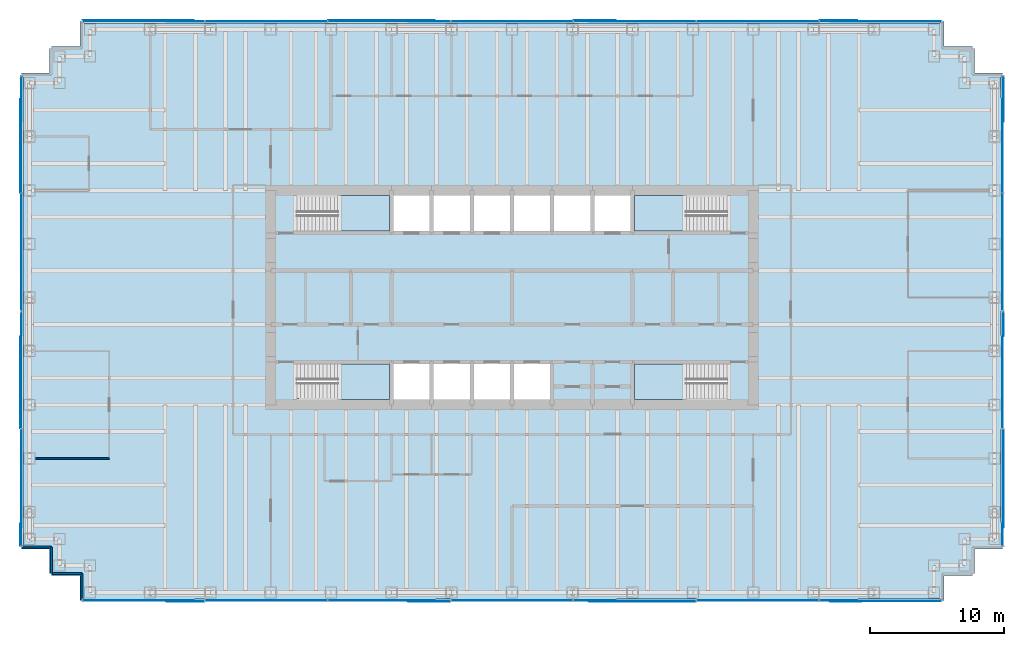
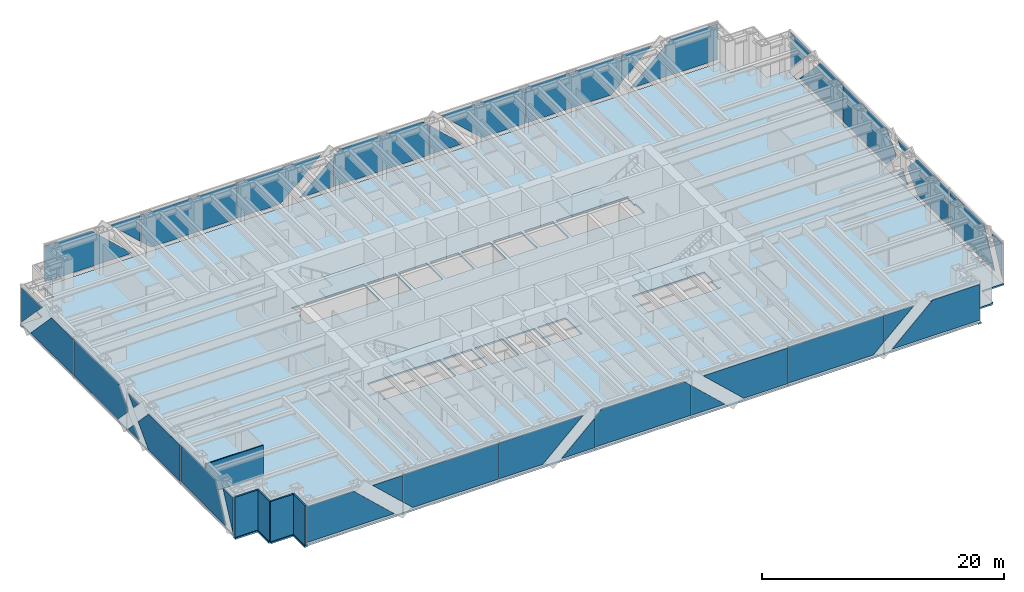
# One storey, part 10 of 15: 38 plates, 5 slabs, 5 walls, 8 elements without a shape of their own.
"""IFC4 building model written with IfcOpenShell, lengths in metres."""

from ifc_helpers import new_model, si_unit, direction, frame, frame_2d, origin, place, context, subcontext, project, spatial, polyline, rectangle, outline, extrude, material, layer, layer_set, type_object, element, aggregate, save


model = new_model("IFC4")

# Units and contexts
model_context = context("Model", 3, precision=1e-05, world=origin(), true_north=direction((0.0, 1.0)))
body_context = subcontext(model_context, "Body", "Model", "MODEL_VIEW")
ifc_project = project(units=[si_unit("LENGTHUNIT", "METRE"), si_unit("AREAUNIT", "SQUARE_METRE"), si_unit("VOLUMEUNIT", "CUBIC_METRE"), si_unit("PLANEANGLEUNIT", "RADIAN"), si_unit("MASSUNIT", "GRAM", prefix="KILO")], contexts=[model_context])

# Site, building, storey
site_placement = place(None, origin())
site = spatial("IfcSite", under=ifc_project, at=site_placement, CompositionType="ELEMENT")
building_placement = place(site_placement, origin())
building = spatial("IfcBuilding", under=site, at=building_placement, Name="Rheinbord Bourse Tower", CompositionType="ELEMENT")
storey_placement = place(building_placement, frame((0.0, 0.0, 236.199951171875)))
storey = spatial("IfcBuildingStorey", under=building, at=storey_placement, Name="L53", CompositionType="ELEMENT", Elevation=236.199951171875)

# Slab
ifc_material_1 = material(Name="Concrete C30/37", Category="concrete")
ifc_layer_1 = layer(ifc_material_1, 0.159912109375)
ifc_layer_set_1 = layer_set([ifc_layer_1], Name="COMPOSITE FLOOR SLAB 160")
slab_type_1 = type_object("IfcSlabType", Name="COMPOSITE FLOOR SLAB 160", PredefinedType="FLOOR", material=ifc_layer_set_1)
slab_1_placement = place(storey_placement, frame((0.0, 0.0, -0.159912109375)))
element("IfcSlab", 1, at=slab_1_placement, inside=storey, type_object=slab_type_1, Name="Floor slab L53", PredefinedType="FLOOR", context=body_context, shape_type="SweptSolid", body=[
    extrude(outline(polyline([(1.64990234375, 3.39990234375), (1.5, 3.39990234375), (1.5, 5.25), (-0.60009765625, 5.25), (-0.60009765625, 5.550048828125), (-0.5, 5.550048828125), (-0.5, 40.449951171875), (-0.60009765625, 40.449951171875), (-0.60009765625, 40.75), (1.5, 40.75), (1.5, 42.60009765625), (1.64990234375, 42.60009765625), (1.64990234375, 42.75), (3.75, 42.75), (3.75, 44.60009765625), (4.050048828125, 44.60009765625), (4.050048828125, 44.5), (67.949951171875, 44.5), (67.949951171875, 44.60009765625), (68.25, 44.60009765625), (68.25, 42.75), (70.35009765625, 42.75), (70.35009765625, 42.60009765625), (70.5, 42.60009765625), (70.5, 40.75), (72.60009765625, 40.75), (72.60009765625, 40.449951171875), (72.5, 40.449951171875), (72.5, 5.550048828125), (72.60009765625, 5.550048828125), (72.60009765625, 5.25), (70.5, 5.25), (70.5, 3.39990234375), (70.35009765625, 3.39990234375), (70.35009765625, 3.25), (68.25, 3.25), (68.25, 1.39990234375), (67.949951171875, 1.39990234375), (67.949951171875, 1.5), (4.050048828125, 1.5), (4.050048828125, 1.39990234375), (3.75, 1.39990234375), (3.75, 3.25), (1.64990234375, 3.25), (1.64990234375, 3.39990234375)]), holes=[polyline([(19.949951171875, 19.050048828125), (26.85009765625, 19.050048828125), (26.85009765625, 16.39990234375), (19.949951171875, 16.39990234375), (19.949951171875, 16.449951171875), (20.10009765625, 16.449951171875), (20.10009765625, 17.64990234375), (19.949951171875, 17.64990234375), (19.949951171875, 19.050048828125)]), polyline([(19.949951171875, 31.60009765625), (26.85009765625, 31.60009765625), (26.85009765625, 28.949951171875), (19.949951171875, 28.949951171875), (19.949951171875, 30.35009765625), (20.10009765625, 30.35009765625), (20.10009765625, 31.550048828125), (19.949951171875, 31.550048828125), (19.949951171875, 31.60009765625)]), polyline([(52.050048828125, 16.39990234375), (45.14990234375, 16.39990234375), (45.14990234375, 19.050048828125), (52.050048828125, 19.050048828125), (52.050048828125, 17.64990234375), (51.89990234375, 17.64990234375), (51.89990234375, 16.449951171875), (52.050048828125, 16.449951171875), (52.050048828125, 16.39990234375)]), polyline([(52.050048828125, 28.949951171875), (45.14990234375, 28.949951171875), (45.14990234375, 31.60009765625), (52.050048828125, 31.60009765625), (52.050048828125, 31.550048828125), (51.89990234375, 31.550048828125), (51.89990234375, 30.35009765625), (52.050048828125, 30.35009765625), (52.050048828125, 28.949951171875)]), polyline([(27.14990234375, 16.39990234375), (27.14990234375, 19.050048828125), (29.85009765625, 19.050048828125), (29.85009765625, 16.39990234375), (27.14990234375, 16.39990234375)]), polyline([(27.14990234375, 28.949951171875), (27.14990234375, 31.60009765625), (29.85009765625, 31.60009765625), (29.85009765625, 28.949951171875), (27.14990234375, 28.949951171875)]), polyline([(30.14990234375, 16.39990234375), (30.14990234375, 19.050048828125), (32.85009765625, 19.050048828125), (32.85009765625, 16.39990234375), (30.14990234375, 16.39990234375)]), polyline([(30.14990234375, 28.949951171875), (30.14990234375, 31.60009765625), (32.85009765625, 31.60009765625), (32.85009765625, 28.949951171875), (30.14990234375, 28.949951171875)]), polyline([(33.14990234375, 16.39990234375), (33.14990234375, 19.050048828125), (35.85009765625, 19.050048828125), (35.85009765625, 16.39990234375), (33.14990234375, 16.39990234375)]), polyline([(33.14990234375, 28.949951171875), (33.14990234375, 31.60009765625), (35.85009765625, 31.60009765625), (35.85009765625, 28.949951171875), (33.14990234375, 28.949951171875)]), polyline([(36.14990234375, 16.39990234375), (36.14990234375, 19.050048828125), (38.85009765625, 19.050048828125), (38.85009765625, 16.39990234375), (36.14990234375, 16.39990234375)]), polyline([(36.14990234375, 28.949951171875), (36.14990234375, 31.60009765625), (38.85009765625, 31.60009765625), (38.85009765625, 28.949951171875), (36.14990234375, 28.949951171875)]), polyline([(39.14990234375, 28.949951171875), (39.14990234375, 31.60009765625), (41.85009765625, 31.60009765625), (41.85009765625, 28.949951171875), (39.14990234375, 28.949951171875)]), polyline([(42.14990234375, 28.949951171875), (42.14990234375, 31.60009765625), (44.85009765625, 31.60009765625), (44.85009765625, 28.949951171875), (42.14990234375, 28.949951171875)])]), origin(), (0.0, 0.0, 1.0), 0.159912109375),
])

# Curtain wall, plates
ifc_material_2 = material(Name="Dark glass and black aluminium", Category="aluminium")
curtain_wall_type = type_object("IfcCurtainWallType", Name="CW2 DARK GLASS CURTAIN WALL", PredefinedType="USERDEFINED", material=ifc_material_2)
curtain_wall_1_placement = place(storey_placement, origin())
curtain_wall_1 = element("IfcCurtainWall", 2, at=curtain_wall_1_placement, inside=storey, type_object=curtain_wall_type, Name="Curtain wall CW2 S L53", ObjectType="UNITISED CURTAIN WALL", PredefinedType="USERDEFINED")
ifc_material_3 = material(Name="Dark tinted triple insulating glass", Category="glass")
ifc_layer_2 = layer(ifc_material_3, 0.050048828125)
ifc_layer_set_2 = layer_set([ifc_layer_2], Name="CW2 DARK GLASS PANEL")
plate_type = type_object("IfcPlateType", Name="CW2 DARK GLASS PANEL", PredefinedType="CURTAIN_PANEL", material=ifc_layer_set_2)
plate_1_placement = place(storey_placement, frame((3.969970703125, 1.375, 0.300048828125), z_axis=(0.0, 1.0, 0.0), x_axis=(0.0, 0.0, 1.0)))
plate_1 = element("IfcPlate", 3, at=plate_1_placement, type_object=plate_type, Name="CW2 glass facet 1", PredefinedType="CURTAIN_PANEL", context=body_context, shape_type="SweptSolid", body=[
    extrude(outline(polyline([(0.0, 0.0), (3.60009765625, 0.0), (3.60009765625, 4.465087890625), (0.0, 8.322021484375), (0.0, 0.0)])), origin(), (0.0, 0.0, 1.0), 0.050048828125),
])
plate_2_placement = place(storey_placement, frame((13.035888671875, 1.31982421875, 3.900146484375), z_axis=(0.0, 1.0, 0.0), x_axis=(0.0, 0.0, -1.0)))
plate_2 = element("IfcPlate", 4, at=plate_2_placement, type_object=plate_type, Name="CW2 glass facet 2", PredefinedType="CURTAIN_PANEL", context=body_context, shape_type="SweptSolid", body=[
    extrude(outline(polyline([(0.0, 0.0), (2.64013671875, 0.0), (0.0, 2.827880859375), (0.0, 0.0)])), origin(), (0.0, 0.0, 1.0), 0.050048828125),
])
plate_3_placement = place(storey_placement, frame((13.10595703125, 1.375, 3.900146484375), z_axis=(0.0, 1.0, 0.0), x_axis=(1.0, 0.0, 0.0)))
plate_3 = element("IfcPlate", 5, at=plate_3_placement, type_object=plate_type, Name="CW2 glass facet 1", PredefinedType="CURTAIN_PANEL", context=body_context, shape_type="SweptSolid", body=[
    extrude(outline(polyline([(0.0, 0.0), (9.10205078125, 0.0), (9.10205078125, 3.60009765625), (0.958984375, 3.60009765625), (0.0, 2.705078125), (0.0, 0.0)])), origin(), (0.0, 0.0, 1.0), 0.050048828125),
])
plate_4_placement = place(storey_placement, frame((22.278076171875, 1.375, 0.300048828125), z_axis=(0.0, 1.0, 0.0), x_axis=(0.0, 0.0, 1.0)))
plate_4 = element("IfcPlate", 6, at=plate_4_placement, type_object=plate_type, Name="CW2 glass facet 1", PredefinedType="CURTAIN_PANEL", context=body_context, shape_type="SweptSolid", body=[
    extrude(outline(polyline([(0.0, 0.0), (3.60009765625, 0.0), (3.60009765625, 8.013916015625), (0.0, 4.156982421875), (0.0, 0.0)])), origin(), (0.0, 0.0, 1.0), 0.050048828125),
])
plate_5_placement = place(storey_placement, frame((31.37890625, 1.31982421875, 0.300048828125), z_axis=(0.0, 1.0, 0.0), x_axis=(-1.0, 0.0, 0.0)))
plate_5 = element("IfcPlate", 7, at=plate_5_placement, type_object=plate_type, Name="CW2 glass facet 2", PredefinedType="CURTAIN_PANEL", context=body_context, shape_type="SweptSolid", body=[
    extrude(outline(polyline([(0.0, 0.0), (3.1708984375, 0.0), (0.0, 2.9599609375), (0.0, 0.0)])), origin(), (0.0, 0.0, 1.0), 0.050048828125),
])
plate_6_placement = place(storey_placement, frame((40.551025390625, 1.375, 0.300048828125), z_axis=(0.0, 1.0, 0.0), x_axis=(-1.0, 0.0, 0.0)))
plate_6 = element("IfcPlate", 8, at=plate_6_placement, type_object=plate_type, Name="CW2 glass facet 1", PredefinedType="CURTAIN_PANEL", context=body_context, shape_type="SweptSolid", body=[
    extrude(outline(polyline([(0.0, 0.0), (9.10205078125, 0.0), (9.10205078125, 3.02490234375), (8.486083984375, 3.60009765625), (0.615966796875, 3.60009765625), (0.0, 3.02490234375), (0.0, 0.0)])), origin(), (0.0, 0.0, 1.0), 0.050048828125),
])
plate_7_placement = place(storey_placement, frame((40.62109375, 1.375, 0.300048828125), z_axis=(0.0, 1.0, 0.0), x_axis=(0.0, 0.0, 1.0)))
plate_7 = element("IfcPlate", 9, at=plate_7_placement, type_object=plate_type, Name="CW2 glass facet 1", PredefinedType="CURTAIN_PANEL", context=body_context, shape_type="SweptSolid", body=[
    extrude(outline(polyline([(0.0, 0.0), (2.9599609375, 0.0), (0.0, 3.1708984375), (0.0, 0.0)])), origin(), (0.0, 0.0, 1.0), 0.050048828125),
])
plate_8_placement = place(storey_placement, frame((49.721923828125, 1.31982421875, 3.900146484375), z_axis=(0.0, 1.0, 0.0), x_axis=(0.0, 0.0, -1.0)))
plate_8 = element("IfcPlate", 10, at=plate_8_placement, type_object=plate_type, Name="CW2 glass facet 2", PredefinedType="CURTAIN_PANEL", context=body_context, shape_type="SweptSolid", body=[
    extrude(outline(polyline([(0.0, 0.0), (3.60009765625, 0.0), (3.60009765625, 4.156982421875), (0.0, 8.013916015625), (0.0, 0.0)])), origin(), (0.0, 0.0, 1.0), 0.050048828125),
])
plate_9_placement = place(storey_placement, frame((49.7919921875, 1.375, 0.300048828125), z_axis=(0.0, 1.0, 0.0), x_axis=(0.0, 0.0, 1.0)))
plate_9 = element("IfcPlate", 11, at=plate_9_placement, type_object=plate_type, Name="CW2 glass facet 1", PredefinedType="CURTAIN_PANEL", context=body_context, shape_type="SweptSolid", body=[
    extrude(outline(polyline([(0.0, 0.0), (3.60009765625, 0.0), (3.60009765625, 9.10205078125), (0.89501953125, 9.10205078125), (0.0, 8.14306640625), (0.0, 0.0)])), origin(), (0.0, 0.0, 1.0), 0.050048828125),
])
plate_10_placement = place(storey_placement, frame((58.964111328125, 1.375, 3.900146484375), z_axis=(0.0, 1.0, 0.0), x_axis=(1.0, 0.0, 0.0)))
plate_10 = element("IfcPlate", 12, at=plate_10_placement, type_object=plate_type, Name="CW2 glass facet 1", PredefinedType="CURTAIN_PANEL", context=body_context, shape_type="SweptSolid", body=[
    extrude(outline(polyline([(0.0, 0.0), (2.827880859375, 0.0), (0.0, 2.64013671875), (0.0, 0.0)])), origin(), (0.0, 0.0, 1.0), 0.050048828125),
])
plate_11_placement = place(storey_placement, frame((68.030029296875, 1.31982421875, 3.900146484375), z_axis=(0.0, 1.0, 0.0), x_axis=(0.0, 0.0, -1.0)))
plate_11 = element("IfcPlate", 13, at=plate_11_placement, type_object=plate_type, Name="CW2 glass facet 2", PredefinedType="CURTAIN_PANEL", context=body_context, shape_type="SweptSolid", body=[
    extrude(outline(polyline([(0.0, 0.0), (3.60009765625, 0.0), (3.60009765625, 8.322021484375), (0.0, 4.465087890625), (0.0, 0.0)])), origin(), (0.0, 0.0, 1.0), 0.050048828125),
])
aggregate(curtain_wall_1, [plate_1, plate_2, plate_3, plate_4, plate_5, plate_6, plate_7, plate_8, plate_9, plate_10, plate_11])

curtain_wall_2_placement = place(storey_placement, origin())
curtain_wall_2 = element("IfcCurtainWall", 14, at=curtain_wall_2_placement, inside=storey, type_object=curtain_wall_type, Name="Curtain wall CW2 E L53", ObjectType="UNITISED CURTAIN WALL", PredefinedType="USERDEFINED")
plate_12_placement = place(storey_placement, frame((72.625, 5.469970703125, 0.300048828125), z_axis=(-1.0, 0.0, 0.0), x_axis=(0.0, 0.0, 1.0)))
plate_12 = element("IfcPlate", 15, at=plate_12_placement, type_object=plate_type, Name="CW2 glass facet 1", PredefinedType="CURTAIN_PANEL", context=body_context, shape_type="SweptSolid", body=[
    extrude(outline(polyline([(0.0, 0.0), (3.60009765625, 0.0), (3.60009765625, 1.717041015625), (0.0, 0.0029296875), (0.0, 0.0)])), origin(), (0.0, 0.0, 1.0), 0.050048828125),
])
plate_13_placement = place(storey_placement, frame((72.68017578125, 14.1650390625, 3.900146484375), z_axis=(-1.0, 0.0, 0.0), x_axis=(0.0, 0.0, -1.0)))
plate_13 = element("IfcPlate", 16, at=plate_13_placement, type_object=plate_type, Name="CW2 glass facet 2", PredefinedType="CURTAIN_PANEL", context=body_context, shape_type="SweptSolid", body=[
    extrude(outline(polyline([(0.0, 0.0), (3.60009765625, 0.0), (3.60009765625, 7.35205078125), (0.0, 5.637939453125), (0.0, 0.0)])), origin(), (0.0, 0.0, 1.0), 0.050048828125),
])
plate_14_placement = place(storey_placement, frame((72.625, 14.235107421875, 0.300048828125), z_axis=(-1.0, 0.0, 0.0), x_axis=(0.0, 0.0, 1.0)))
plate_14 = element("IfcPlate", 17, at=plate_14_placement, type_object=plate_type, Name="CW2 glass facet 1", PredefinedType="CURTAIN_PANEL", context=body_context, shape_type="SweptSolid", body=[
    extrude(outline(polyline([(0.0, 0.0), (3.60009765625, 0.0), (3.60009765625, 5.21484375), (1.800048828125, 6.929931640625), (0.0, 5.21484375), (0.0, 0.0)])), origin(), (0.0, 0.0, 1.0), 0.050048828125),
])
plate_15_placement = place(storey_placement, frame((72.68017578125, 21.12109375, 0.300048828125), z_axis=(-1.0, 0.0, 0.0), x_axis=(0.0, 0.689559508121, 0.724229027835)))
plate_15 = element("IfcPlate", 18, at=plate_15_placement, type_object=plate_type, Name="CW2 glass facet 2", PredefinedType="CURTAIN_PANEL", context=body_context, shape_type="SweptSolid", body=[
    extrude(outline(polyline([(0.0, 0.0), (1.274658203125, 0.0), (1.212158203125, 1.27294921875), (0.0, 0.0)])), origin(), (0.0, 0.0, 1.0), 0.050048828125),
])
plate_16_placement = place(storey_placement, frame((72.68017578125, 22.87890625, 3.900146484375), z_axis=(-1.0, 0.0, 0.0), x_axis=(0.0, -0.689559508121, -0.724229027835)))
plate_16 = element("IfcPlate", 19, at=plate_16_placement, type_object=plate_type, Name="CW2 glass facet 3", PredefinedType="CURTAIN_PANEL", context=body_context, shape_type="SweptSolid", body=[
    extrude(outline(polyline([(0.0, 0.0), (1.274658203125, 0.0), (1.212158203125, 1.27294921875), (0.0, 0.0)])), origin(), (0.0, 0.0, 1.0), 0.050048828125),
])
plate_17_placement = place(storey_placement, frame((72.625, 31.764892578125, 3.900146484375), z_axis=(-1.0, 0.0, 0.0), x_axis=(0.0, 0.0, -1.0)))
plate_17 = element("IfcPlate", 20, at=plate_17_placement, type_object=plate_type, Name="CW2 glass facet 1", PredefinedType="CURTAIN_PANEL", context=body_context, shape_type="SweptSolid", body=[
    extrude(outline(polyline([(0.0, 0.0), (3.60009765625, 0.0), (3.60009765625, 7.21484375), (2.010009765625, 8.72998046875), (1.591064453125, 8.72998046875), (0.0, 7.21484375), (0.0, 0.0)])), origin(), (0.0, 0.0, 1.0), 0.050048828125),
])
plate_18_placement = place(storey_placement, frame((72.625, 31.8349609375, 0.300048828125), z_axis=(-1.0, 0.0, 0.0), x_axis=(0.0, 0.0, 1.0)))
plate_18 = element("IfcPlate", 21, at=plate_18_placement, type_object=plate_type, Name="CW2 glass facet 1", PredefinedType="CURTAIN_PANEL", context=body_context, shape_type="SweptSolid", body=[
    extrude(outline(polyline([(0.0, 0.0), (3.60009765625, 0.0), (3.60009765625, 3.614990234375), (0.0, 7.0439453125), (0.0, 0.0)])), origin(), (0.0, 0.0, 1.0), 0.050048828125),
])
plate_19_placement = place(storey_placement, frame((72.68017578125, 40.530029296875, 3.900146484375), z_axis=(-1.0, 0.0, 0.0), x_axis=(0.0, 0.0, -1.0)))
plate_19 = element("IfcPlate", 22, at=plate_19_placement, type_object=plate_type, Name="CW2 glass facet 2", PredefinedType="CURTAIN_PANEL", context=body_context, shape_type="SweptSolid", body=[
    extrude(outline(polyline([(0.0, 0.0), (3.5791015625, 0.0), (0.0, 3.408935546875), (0.0, 0.0)])), origin(), (0.0, 0.0, 1.0), 0.050048828125),
])
aggregate(curtain_wall_2, [plate_12, plate_13, plate_14, plate_15, plate_16, plate_17, plate_18, plate_19])

curtain_wall_3_placement = place(storey_placement, origin())
curtain_wall_3 = element("IfcCurtainWall", 23, at=curtain_wall_3_placement, inside=storey, type_object=curtain_wall_type, Name="Curtain wall CW2 N L53", ObjectType="UNITISED CURTAIN WALL", PredefinedType="USERDEFINED")
plate_20_placement = place(storey_placement, frame((68.030029296875, 44.625, 0.300048828125), z_axis=(0.0, -1.0, 0.0), x_axis=(0.0, 0.0, 1.0)))
plate_20 = element("IfcPlate", 24, at=plate_20_placement, type_object=plate_type, Name="CW2 glass facet 1", PredefinedType="CURTAIN_PANEL", context=body_context, shape_type="SweptSolid", body=[
    extrude(outline(polyline([(0.0, 0.0), (3.60009765625, 0.0), (3.60009765625, 4.465087890625), (0.0, 8.322021484375), (0.0, 0.0)])), origin(), (0.0, 0.0, 1.0), 0.050048828125),
])
plate_21_placement = place(storey_placement, frame((58.964111328125, 44.68017578125, 3.900146484375), z_axis=(0.0, -1.0, 0.0), x_axis=(0.0, 0.0, -1.0)))
plate_21 = element("IfcPlate", 25, at=plate_21_placement, type_object=plate_type, Name="CW2 glass facet 2", PredefinedType="CURTAIN_PANEL", context=body_context, shape_type="SweptSolid", body=[
    extrude(outline(polyline([(0.0, 0.0), (2.64013671875, 0.0), (0.0, 2.827880859375), (0.0, 0.0)])), origin(), (0.0, 0.0, 1.0), 0.050048828125),
])
plate_22_placement = place(storey_placement, frame((58.89404296875, 44.625, 3.900146484375), z_axis=(0.0, -1.0, 0.0), x_axis=(-1.0, 0.0, 0.0)))
plate_22 = element("IfcPlate", 26, at=plate_22_placement, type_object=plate_type, Name="CW2 glass facet 1", PredefinedType="CURTAIN_PANEL", context=body_context, shape_type="SweptSolid", body=[
    extrude(outline(polyline([(0.0, 0.0), (9.10205078125, 0.0), (9.10205078125, 3.60009765625), (0.958984375, 3.60009765625), (0.0, 2.705078125), (0.0, 0.0)])), origin(), (0.0, 0.0, 1.0), 0.050048828125),
])
plate_23_placement = place(storey_placement, frame((49.721923828125, 44.625, 0.300048828125), z_axis=(0.0, -1.0, 0.0), x_axis=(0.0, 0.0, 1.0)))
plate_23 = element("IfcPlate", 27, at=plate_23_placement, type_object=plate_type, Name="CW2 glass facet 1", PredefinedType="CURTAIN_PANEL", context=body_context, shape_type="SweptSolid", body=[
    extrude(outline(polyline([(0.0, 0.0), (3.60009765625, 0.0), (3.60009765625, 8.013916015625), (0.0, 4.156982421875), (0.0, 0.0)])), origin(), (0.0, 0.0, 1.0), 0.050048828125),
])
plate_24_placement = place(storey_placement, frame((40.62109375, 44.68017578125, 0.300048828125), z_axis=(0.0, -1.0, 0.0), x_axis=(1.0, 0.0, 0.0)))
plate_24 = element("IfcPlate", 28, at=plate_24_placement, type_object=plate_type, Name="CW2 glass facet 2", PredefinedType="CURTAIN_PANEL", context=body_context, shape_type="SweptSolid", body=[
    extrude(outline(polyline([(0.0, 0.0), (3.1708984375, 0.0), (0.0, 2.9599609375), (0.0, 0.0)])), origin(), (0.0, 0.0, 1.0), 0.050048828125),
])
plate_25_placement = place(storey_placement, frame((31.448974609375, 44.625, 0.300048828125), z_axis=(0.0, -1.0, 0.0), x_axis=(1.0, 0.0, 0.0)))
plate_25 = element("IfcPlate", 29, at=plate_25_placement, type_object=plate_type, Name="CW2 glass facet 1", PredefinedType="CURTAIN_PANEL", context=body_context, shape_type="SweptSolid", body=[
    extrude(outline(polyline([(0.0, 0.0), (9.10205078125, 0.0), (9.10205078125, 3.02490234375), (8.486083984375, 3.60009765625), (0.615966796875, 3.60009765625), (0.0, 3.02490234375), (0.0, 0.0)])), origin(), (0.0, 0.0, 1.0), 0.050048828125),
])
plate_26_placement = place(storey_placement, frame((31.37890625, 44.625, 0.300048828125), z_axis=(0.0, -1.0, 0.0), x_axis=(0.0, 0.0, 1.0)))
plate_26 = element("IfcPlate", 30, at=plate_26_placement, type_object=plate_type, Name="CW2 glass facet 1", PredefinedType="CURTAIN_PANEL", context=body_context, shape_type="SweptSolid", body=[
    extrude(outline(polyline([(0.0, 0.0), (2.9599609375, 0.0), (0.0, 3.1708984375), (0.0, 0.0)])), origin(), (0.0, 0.0, 1.0), 0.050048828125),
])
plate_27_placement = place(storey_placement, frame((22.278076171875, 44.68017578125, 3.900146484375), z_axis=(0.0, -1.0, 0.0), x_axis=(0.0, 0.0, -1.0)))
plate_27 = element("IfcPlate", 31, at=plate_27_placement, type_object=plate_type, Name="CW2 glass facet 2", PredefinedType="CURTAIN_PANEL", context=body_context, shape_type="SweptSolid", body=[
    extrude(outline(polyline([(0.0, 0.0), (3.60009765625, 0.0), (3.60009765625, 4.156982421875), (0.0, 8.013916015625), (0.0, 0.0)])), origin(), (0.0, 0.0, 1.0), 0.050048828125),
])
plate_28_placement = place(storey_placement, frame((22.2080078125, 44.625, 0.300048828125), z_axis=(0.0, -1.0, 0.0), x_axis=(0.0, 0.0, 1.0)))
plate_28 = element("IfcPlate", 32, at=plate_28_placement, type_object=plate_type, Name="CW2 glass facet 1", PredefinedType="CURTAIN_PANEL", context=body_context, shape_type="SweptSolid", body=[
    extrude(outline(polyline([(0.0, 0.0), (3.60009765625, 0.0), (3.60009765625, 9.10205078125), (0.89501953125, 9.10205078125), (0.0, 8.14306640625), (0.0, 0.0)])), origin(), (0.0, 0.0, 1.0), 0.050048828125),
])
plate_29_placement = place(storey_placement, frame((13.035888671875, 44.625, 3.900146484375), z_axis=(0.0, -1.0, 0.0), x_axis=(-1.0, 0.0, 0.0)))
plate_29 = element("IfcPlate", 33, at=plate_29_placement, type_object=plate_type, Name="CW2 glass facet 1", PredefinedType="CURTAIN_PANEL", context=body_context, shape_type="SweptSolid", body=[
    extrude(outline(polyline([(0.0, 0.0), (2.827880859375, 0.0), (0.0, 2.64013671875), (0.0, 0.0)])), origin(), (0.0, 0.0, 1.0), 0.050048828125),
])
plate_30_placement = place(storey_placement, frame((3.969970703125, 44.68017578125, 3.900146484375), z_axis=(0.0, -1.0, 0.0), x_axis=(0.0, 0.0, -1.0)))
plate_30 = element("IfcPlate", 34, at=plate_30_placement, type_object=plate_type, Name="CW2 glass facet 2", PredefinedType="CURTAIN_PANEL", context=body_context, shape_type="SweptSolid", body=[
    extrude(outline(polyline([(0.0, 0.0), (3.60009765625, 0.0), (3.60009765625, 8.322021484375), (0.0, 4.465087890625), (0.0, 0.0)])), origin(), (0.0, 0.0, 1.0), 0.050048828125),
])
aggregate(curtain_wall_3, [plate_20, plate_21, plate_22, plate_23, plate_24, plate_25, plate_26, plate_27, plate_28, plate_29, plate_30])

curtain_wall_4_placement = place(storey_placement, origin())
curtain_wall_4 = element("IfcCurtainWall", 35, at=curtain_wall_4_placement, inside=storey, type_object=curtain_wall_type, Name="Curtain wall CW2 W L53", ObjectType="UNITISED CURTAIN WALL", PredefinedType="USERDEFINED")
plate_31_placement = place(storey_placement, frame((-0.625, 40.530029296875, 3.900146484375), z_axis=(1.0, 0.0, 0.0), x_axis=(0.0, -1.0, 0.0)))
plate_31 = element("IfcPlate", 36, at=plate_31_placement, type_object=plate_type, Name="CW2 glass facet 1", PredefinedType="CURTAIN_PANEL", context=body_context, shape_type="SweptSolid", body=[
    extrude(outline(polyline([(0.0, 0.0), (3.408935546875, 0.0), (0.0, 3.5791015625), (0.0, 0.0)])), origin(), (0.0, 0.0, 1.0), 0.050048828125),
])
plate_32_placement = place(storey_placement, frame((-0.68017578125, 31.8349609375, 3.900146484375), z_axis=(1.0, 0.0, 0.0), x_axis=(0.0, 0.0, -1.0)))
plate_32 = element("IfcPlate", 37, at=plate_32_placement, type_object=plate_type, Name="CW2 glass facet 2", PredefinedType="CURTAIN_PANEL", context=body_context, shape_type="SweptSolid", body=[
    extrude(outline(polyline([(0.0, 0.0), (3.60009765625, 0.0), (3.60009765625, 7.0439453125), (0.0, 3.614990234375), (0.0, 0.0)])), origin(), (0.0, 0.0, 1.0), 0.050048828125),
])
plate_33_placement = place(storey_placement, frame((-0.625, 31.764892578125, 0.300048828125), z_axis=(1.0, 0.0, 0.0), x_axis=(0.0, 0.0, 1.0)))
plate_33 = element("IfcPlate", 38, at=plate_33_placement, type_object=plate_type, Name="CW2 glass facet 1", PredefinedType="CURTAIN_PANEL", context=body_context, shape_type="SweptSolid", body=[
    extrude(outline(polyline([(0.0, 0.0), (3.60009765625, 0.0), (3.60009765625, 7.21484375), (2.010009765625, 8.72998046875), (1.591064453125, 8.72998046875), (0.0, 7.21484375), (0.0, 0.0)])), origin(), (0.0, 0.0, 1.0), 0.050048828125),
])
plate_34_placement = place(storey_placement, frame((-0.625, 22.87890625, 0.300048828125), z_axis=(1.0, 0.0, 0.0), x_axis=(0.0, -0.689559508121, 0.724229027835)))
plate_34 = element("IfcPlate", 39, at=plate_34_placement, type_object=plate_type, Name="CW2 glass facet 1", PredefinedType="CURTAIN_PANEL", context=body_context, shape_type="SweptSolid", body=[
    extrude(outline(polyline([(0.0, 0.0), (1.274658203125, 0.0), (1.212158203125, 1.27294921875), (0.0, 0.0)])), origin(), (0.0, 0.0, 1.0), 0.050048828125),
])
plate_35_placement = place(storey_placement, frame((-0.625, 21.12109375, 3.900146484375), z_axis=(1.0, 0.0, 0.0), x_axis=(0.0, 0.689559508121, -0.724229027835)))
plate_35 = element("IfcPlate", 40, at=plate_35_placement, type_object=plate_type, Name="CW2 glass facet 2", PredefinedType="CURTAIN_PANEL", context=body_context, shape_type="SweptSolid", body=[
    extrude(outline(polyline([(0.0, 0.0), (1.274658203125, 0.0), (1.212158203125, 1.27294921875), (0.0, 0.0)])), origin(), (0.0, 0.0, 1.0), 0.050048828125),
])
plate_36_placement = place(storey_placement, frame((-0.68017578125, 14.235107421875, 3.900146484375), z_axis=(1.0, 0.0, 0.0), x_axis=(0.0, 0.0, -1.0)))
plate_36 = element("IfcPlate", 41, at=plate_36_placement, type_object=plate_type, Name="CW2 glass facet 3", PredefinedType="CURTAIN_PANEL", context=body_context, shape_type="SweptSolid", body=[
    extrude(outline(polyline([(0.0, 0.0), (3.60009765625, 0.0), (3.60009765625, 5.21484375), (1.800048828125, 6.929931640625), (0.0, 5.21484375), (0.0, 0.0)])), origin(), (0.0, 0.0, 1.0), 0.050048828125),
])
plate_37_placement = place(storey_placement, frame((-0.625, 14.1650390625, 0.300048828125), z_axis=(1.0, 0.0, 0.0), x_axis=(0.0, 0.0, 1.0)))
plate_37 = element("IfcPlate", 42, at=plate_37_placement, type_object=plate_type, Name="CW2 glass facet 1", PredefinedType="CURTAIN_PANEL", context=body_context, shape_type="SweptSolid", body=[
    extrude(outline(polyline([(0.0, 0.0), (3.60009765625, 0.0), (3.60009765625, 5.637939453125), (0.0, 7.35205078125), (0.0, 0.0)])), origin(), (0.0, 0.0, 1.0), 0.050048828125),
])
plate_38_placement = place(storey_placement, frame((-0.68017578125, 5.469970703125, 3.900146484375), z_axis=(1.0, 0.0, 0.0), x_axis=(0.0, 0.0, -1.0)))
plate_38 = element("IfcPlate", 43, at=plate_38_placement, type_object=plate_type, Name="CW2 glass facet 2", PredefinedType="CURTAIN_PANEL", context=body_context, shape_type="SweptSolid", body=[
    extrude(outline(polyline([(0.0, 0.0), (3.60009765625, 0.0), (3.60009765625, 0.0029296875), (0.0, 1.717041015625), (0.0, 0.0)])), origin(), (0.0, 0.0, 1.0), 0.050048828125),
])
aggregate(curtain_wall_4, [plate_31, plate_32, plate_33, plate_34, plate_35, plate_36, plate_37, plate_38])

# Stair, slab
ifc_material_4 = material(Name="Concrete C30/37", Category="concrete")
stair_type = type_object("IfcStairType", Name="CORE STAIR HALF TURN 4200", PredefinedType="HALF_TURN_STAIR", material=ifc_material_4)
stair_1_placement = place(storey_placement, origin())
stair_1 = element("IfcStair", 44, at=stair_1_placement, inside=storey, type_object=stair_type, Name="Stair ST1 L53, type CS6", PredefinedType="HALF_TURN_STAIR")
ifc_material_5 = material(Name="Concrete C30/37", Category="concrete")
ifc_layer_3 = layer(ifc_material_5, 0.199951171875)
ifc_layer_set_3 = layer_set([ifc_layer_3], Name="STAIR LANDING 200")
slab_type_2 = type_object("IfcSlabType", Name="STAIR LANDING 200", PredefinedType="LANDING", material=ifc_layer_set_3)
slab_2_placement = place(storey_placement, frame((0.0, 0.0, 1.900146484375)))
slab_2 = element("IfcSlab", 45, at=slab_2_placement, type_object=slab_type_2, Name="Half landing ST1 L53", PredefinedType="LANDING", context=body_context, shape_type="SweptSolid", body=[
    extrude(outline(polyline([(23.030029296875, 16.39990234375), (26.85009765625, 16.39990234375), (26.85009765625, 19.050048828125), (21.748046875, 19.050048828125), (21.748046875, 17.85009765625), (23.030029296875, 17.85009765625), (23.030029296875, 16.39990234375)])), origin(), (0.0, 0.0, 1.0), 0.199951171875),
])
aggregate(stair_1, [slab_2])

stair_2_placement = place(storey_placement, origin())
stair_2 = element("IfcStair", 46, at=stair_2_placement, inside=storey, type_object=stair_type, Name="Stair ST2 L53, type CS6", PredefinedType="HALF_TURN_STAIR")
slab_3_placement = place(storey_placement, frame((0.0, 0.0, 1.900146484375)))
slab_3 = element("IfcSlab", 47, at=slab_3_placement, type_object=slab_type_2, Name="Half landing ST2 L53", PredefinedType="LANDING", context=body_context, shape_type="SweptSolid", body=[
    extrude(outline(polyline([(21.748046875, 28.949951171875), (26.85009765625, 28.949951171875), (26.85009765625, 31.60009765625), (23.030029296875, 31.60009765625), (23.030029296875, 30.14990234375), (21.748046875, 30.14990234375), (21.748046875, 28.949951171875)])), origin(), (0.0, 0.0, 1.0), 0.199951171875),
])
aggregate(stair_2, [slab_3])

stair_3_placement = place(storey_placement, origin())
stair_3 = element("IfcStair", 48, at=stair_3_placement, inside=storey, type_object=stair_type, Name="Stair ST3 L53, type CS6", PredefinedType="HALF_TURN_STAIR")
slab_4_placement = place(storey_placement, frame((0.0, 0.0, 1.900146484375)))
slab_4 = element("IfcSlab", 49, at=slab_4_placement, type_object=slab_type_2, Name="Half landing ST3 L53", PredefinedType="LANDING", context=body_context, shape_type="SweptSolid", body=[
    extrude(outline(polyline([(45.14990234375, 16.39990234375), (48.969970703125, 16.39990234375), (48.969970703125, 17.85009765625), (50.251953125, 17.85009765625), (50.251953125, 19.050048828125), (45.14990234375, 19.050048828125), (45.14990234375, 16.39990234375)])), origin(), (0.0, 0.0, 1.0), 0.199951171875),
])
aggregate(stair_3, [slab_4])

stair_4_placement = place(storey_placement, origin())
stair_4 = element("IfcStair", 50, at=stair_4_placement, inside=storey, type_object=stair_type, Name="Stair ST4 L53, type CS6", PredefinedType="HALF_TURN_STAIR")
slab_5_placement = place(storey_placement, frame((0.0, 0.0, 1.900146484375)))
slab_5 = element("IfcSlab", 51, at=slab_5_placement, type_object=slab_type_2, Name="Half landing ST4 L53", PredefinedType="LANDING", context=body_context, shape_type="SweptSolid", body=[
    extrude(outline(polyline([(45.14990234375, 28.949951171875), (50.251953125, 28.949951171875), (50.251953125, 30.14990234375), (48.969970703125, 30.14990234375), (48.969970703125, 31.60009765625), (45.14990234375, 31.60009765625), (45.14990234375, 28.949951171875)])), origin(), (0.0, 0.0, 1.0), 0.199951171875),
])
aggregate(stair_4, [slab_5])

# Walls
ifc_material_6 = material(Name="Black metal rainscreen panel", Category="aluminium")
ifc_layer_4 = layer(ifc_material_6, 0.14990234375)
ifc_layer_set_4 = layer_set([ifc_layer_4], Name="CORNER PIER CLADDING 150")
wall_type_1 = type_object("IfcWallType", Name="CORNER PIER CLADDING 150", PredefinedType="ELEMENTEDWALL", material=ifc_layer_set_4)
wall_1_placement = place(storey_placement, frame((-0.60009765625, 5.39990234375, 0.0), z_axis=(0.0, 0.0, 1.0), x_axis=(1.0, 0.0, 0.0)))
element("IfcWall", 52, at=wall_1_placement, inside=storey, type_object=wall_type_1, Name="Corner pier cladding L53 17", PredefinedType="ELEMENTEDWALL", context=body_context, shape_type="SweptSolid", body=[
    extrude(rectangle(XDim=2.25, YDim=0.14990234375, at=frame_2d((1.125, 0.0))), origin(), (0.0, 0.0, 1.0), 4.0400390625),
])
wall_2_placement = place(storey_placement, frame((1.64990234375, 5.39990234375, 0.0), z_axis=(0.0, 0.0, 1.0), x_axis=(0.0, -1.0, 0.0)))
element("IfcWall", 53, at=wall_2_placement, inside=storey, type_object=wall_type_1, Name="Corner pier cladding L53 18", PredefinedType="ELEMENTEDWALL", context=body_context, shape_type="SweptSolid", body=[
    extrude(rectangle(XDim=2.0, YDim=0.14990234375, at=frame_2d((1.0, 0.0))), origin(), (0.0, 0.0, 1.0), 4.0400390625),
])
wall_3_placement = place(storey_placement, frame((1.64990234375, 3.39990234375, 0.0), z_axis=(0.0, 0.0, 1.0), x_axis=(1.0, 0.0, 0.0)))
element("IfcWall", 54, at=wall_3_placement, inside=storey, type_object=wall_type_1, Name="Corner pier cladding L53 19", PredefinedType="ELEMENTEDWALL", context=body_context, shape_type="SweptSolid", body=[
    extrude(rectangle(XDim=2.25, YDim=0.14990234375, at=frame_2d((1.125, 0.0))), origin(), (0.0, 0.0, 1.0), 4.0400390625),
])
wall_4_placement = place(storey_placement, frame((3.89990234375, 3.39990234375, 0.0), z_axis=(0.0, 0.0, 1.0), x_axis=(0.0, -1.0, 0.0)))
element("IfcWall", 55, at=wall_4_placement, inside=storey, type_object=wall_type_1, Name="Corner pier cladding L53 20", PredefinedType="ELEMENTEDWALL", context=body_context, shape_type="SweptSolid", body=[
    extrude(rectangle(XDim=2.0, YDim=0.14990234375, at=frame_2d((1.0, 0.0))), origin(), (0.0, 0.0, 1.0), 4.0400390625),
])
ifc_material_7 = material(Name="Toughened laminated glass partition", Category="glass")
ifc_layer_5 = layer(ifc_material_7, 0.10009765625)
ifc_layer_set_5 = layer_set([ifc_layer_5], Name="GLAZED PARTITION 100")
wall_type_2 = type_object("IfcWallType", Name="GLAZED PARTITION 100", PredefinedType="PARTITIONING", material=ifc_layer_set_5)
wall_5_placement = place(storey_placement, frame((0.449951171875, 12.0, 0.0), z_axis=(0.0, 0.0, 1.0), x_axis=(1.0, 0.0, 0.0)))
element("IfcWall", 56, at=wall_5_placement, inside=storey, type_object=wall_type_2, Name="Partition L53-04", PredefinedType="PARTITIONING", context=body_context, shape_type="SweptSolid", body=[
    extrude(rectangle(XDim=5.5, YDim=0.10009765625, at=frame_2d((2.75, 0.0))), origin(), (0.0, 0.0, 1.0), 3.0),
])

save(model, "model.ifc")
